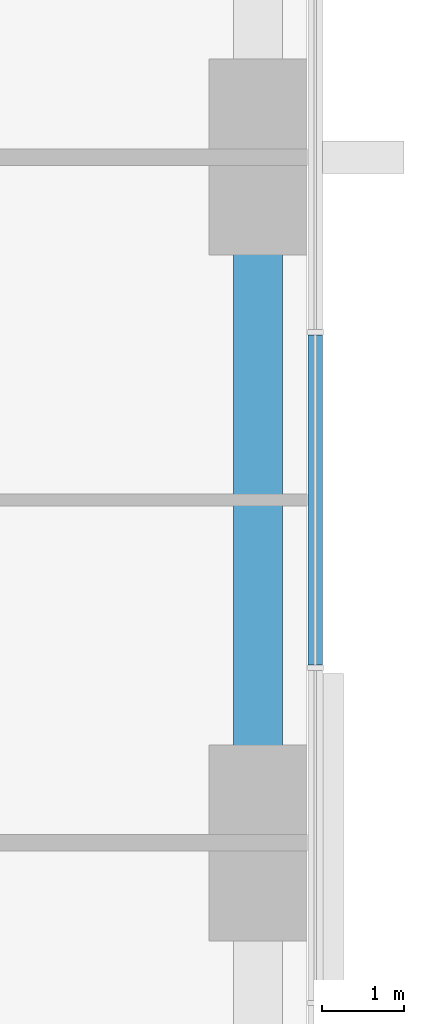
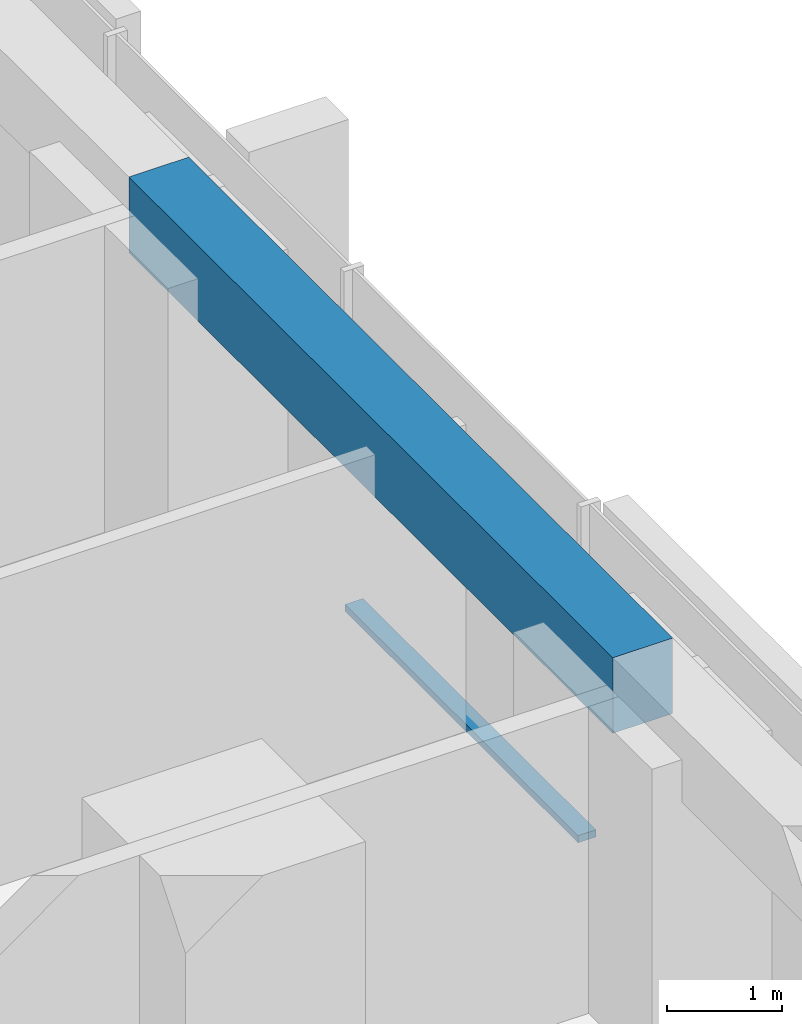
# One storey, part 5 of 17: 1 beam, 1 member, 1 element without a shape of its own.
"""IFC4 building model written with IfcOpenShell, lengths in metres."""

from ifc_helpers import new_model, si_unit, direction, frame, origin, origin_2d, place, context, subcontext, project, spatial, rectangle, extrude, material, material_profile, profile_set, type_object, element, aggregate, save


model = new_model("IFC4")

# Units and contexts
model_context = context("Model", 3, precision=1e-05, world=origin(), true_north=direction((0.0, 1.0)))
body_context = subcontext(model_context, "Body", "Model", "MODEL_VIEW")
ifc_project = project(units=[si_unit("LENGTHUNIT", "METRE"), si_unit("AREAUNIT", "SQUARE_METRE"), si_unit("VOLUMEUNIT", "CUBIC_METRE"), si_unit("PLANEANGLEUNIT", "RADIAN"), si_unit("MASSUNIT", "GRAM", prefix="KILO")], contexts=[model_context])

# Site, building, storey
site_placement = place(None, origin())
site = spatial("IfcSite", under=ifc_project, at=site_placement, CompositionType="ELEMENT")
building_placement = place(site_placement, origin())
building = spatial("IfcBuilding", under=site, at=building_placement, Name="Dunama Terrace Hotel", CompositionType="ELEMENT")
storey_placement = place(building_placement, frame((0.0, 0.0, 63.0)))
storey = spatial("IfcBuildingStorey", under=building, at=storey_placement, Name="L15", CompositionType="ELEMENT", Elevation=63.0)

# Curtain wall, member
ifc_material_1 = material(Name="Aluminium curtain wall system", Category="aluminium")
curtain_wall_type = type_object("IfcCurtainWallType", Name="Unitised fritted glass wall CW-A", PredefinedType="NOTDEFINED", material=ifc_material_1)
curtain_wall_placement = place(storey_placement, origin())
curtain_wall = element("IfcCurtainWall", 1, at=curtain_wall_placement, inside=storey, type_object=curtain_wall_type, Name="Unitised fritted glass wall CW-A L15", PredefinedType="NOTDEFINED")
ifc_material_2 = material(Name="Aluminium transom", Category="aluminium")
ifc_material_profile_1 = material_profile(ifc_material_2, rectangle(XDim=0.179931640625, YDim=0.074951171875, at=origin_2d()), Name="CWA TRANSOM 180X75")
ifc_profile_set_1 = profile_set([ifc_material_profile_1], Name="Aluminium transom")
member_type = type_object("IfcMemberType", Name="CWA transom 180x75", PredefinedType="USERDEFINED", material=ifc_profile_set_1)
member_placement = place(storey_placement, frame((58.89990234375, 27.37890625, 0.03759765625), z_axis=(0.0, 1.0, 0.0), x_axis=(-1.0, 0.0, 0.0)))
member = element("IfcMember", 2, at=member_placement, type_object=member_type, Name="CWA transom", ObjectType="TRANSOM", PredefinedType="USERDEFINED", context=body_context, shape_type="SweptSolid", body=[
    extrude(rectangle(XDim=0.179931640625, YDim=0.074951171875, at=origin_2d()), origin(), (0.0, 0.0, 1.0), 4.0419921875),
])
aggregate(curtain_wall, [member])

# Beam
ifc_material_3 = material(Name="Concrete C40/50", Category="concrete")
ifc_material_profile_2 = material_profile(ifc_material_3, rectangle(XDim=0.60009765625, YDim=0.800048828125, at=origin_2d()), Name="RC 600x800")
ifc_profile_set_2 = profile_set([ifc_material_profile_2], Name="Concrete C40/50")
beam_type = type_object("IfcBeamType", Name="Edge beam RC 600x800", PredefinedType="SPANDREL", material=ifc_profile_set_2)
beam_placement = place(storey_placement, frame((58.199951171875, 25.199951171875, 3.199951171875), z_axis=(0.0, 1.0, 0.0), x_axis=(-1.0, 0.0, 0.0)))
element("IfcBeam", 3, at=beam_placement, inside=storey, type_object=beam_type, Name="Edge beam under L16", PredefinedType="SPANDREL", context=body_context, shape_type="SweptSolid", body=[
    extrude(rectangle(XDim=0.60009765625, YDim=0.800048828125, at=origin_2d()), origin(), (0.0, 0.0, 1.0), 8.400146484375),
])

save(model, "model.ifc")
